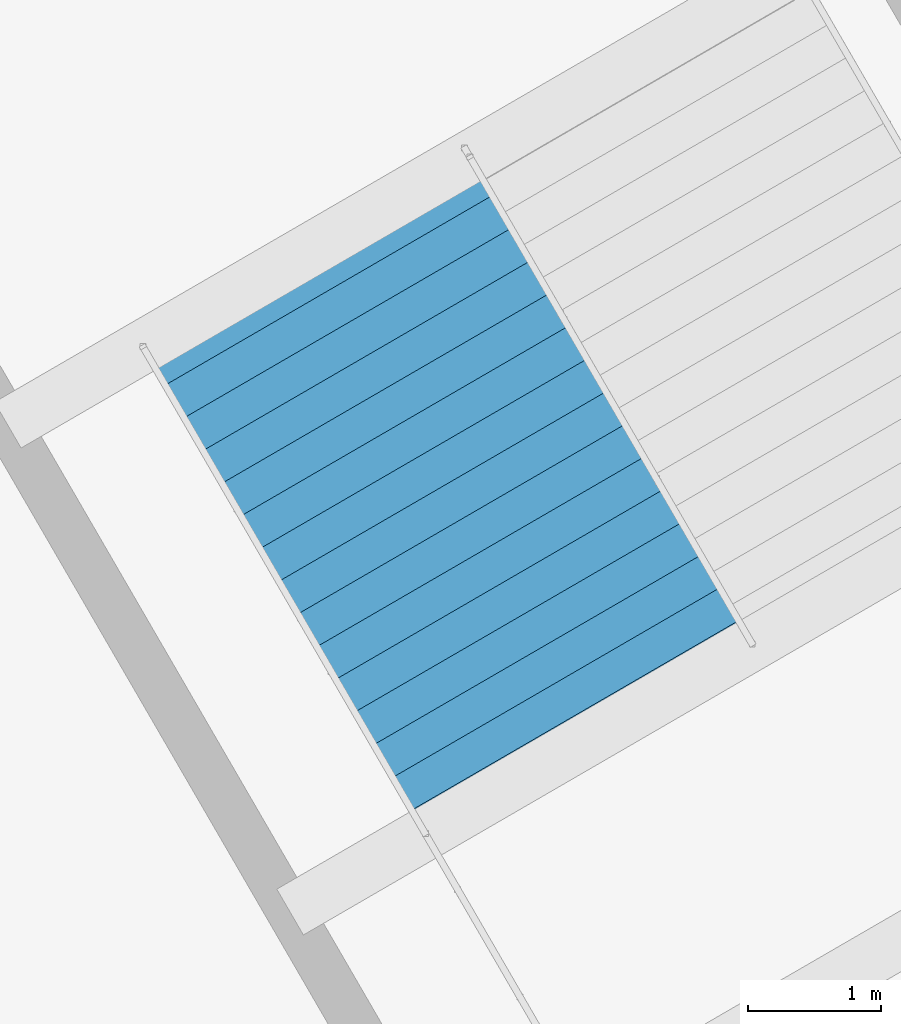
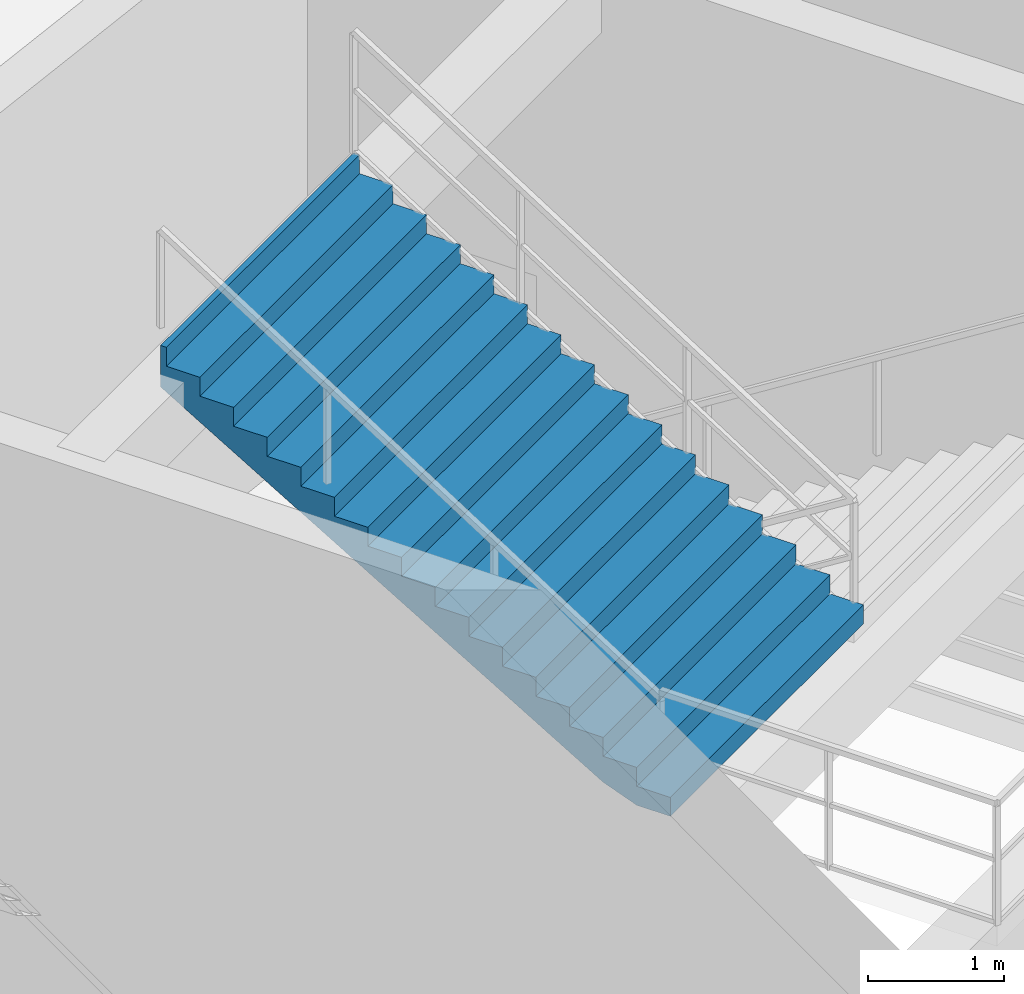
# One storey, part 81 of 103: 1 stair flight, 1 element without a shape of its own.
"""IFC4 building model written with IfcOpenShell, lengths in metres."""

from ifc_helpers import new_model, si_unit, direction, frame, origin, place, context, subcontext, project, spatial, polygons, material, type_object, element, aggregate, save


model = new_model("IFC4")

# Units and contexts
model_context = context("Model", 3, precision=1e-05, world=origin(), true_north=direction((0.0, 1.0)))
body_context = subcontext(model_context, "Body", "Model", "MODEL_VIEW")
ifc_project = project(units=[si_unit("LENGTHUNIT", "METRE"), si_unit("AREAUNIT", "SQUARE_METRE"), si_unit("VOLUMEUNIT", "CUBIC_METRE"), si_unit("PLANEANGLEUNIT", "RADIAN"), si_unit("MASSUNIT", "GRAM", prefix="KILO")], contexts=[model_context])

# Site, building, storey
site_placement = place(None, origin())
site = spatial("IfcSite", under=ifc_project, at=site_placement, CompositionType="ELEMENT")
building_placement = place(site_placement, origin())
building = spatial("IfcBuilding", under=site, at=building_placement, Name="Kazemori Nagisa Stadium", CompositionType="ELEMENT")
storey_placement = place(building_placement, frame((0.0, 0.0, 25.840087890625)))
storey = spatial("IfcBuildingStorey", under=building, at=storey_placement, Name="L05", CompositionType="ELEMENT", Elevation=25.840087890625)

# Stair, stair flight
ifc_material = material(Name="Concrete C36/45 (Fc36)", Category="concrete")
stair_type = type_object("IfcStairType", Name="Stair_CORE_32", PredefinedType="TWO_STRAIGHT_RUN_STAIR", material=ifc_material)
stair_placement = place(storey_placement, origin())
stair = element("IfcStair", 1, at=stair_placement, inside=storey, type_object=stair_type, Name="Exit stair ST09 L05", PredefinedType="TWO_STRAIGHT_RUN_STAIR")
stair_flight_type = type_object("IfcStairFlightType", Name="Flight_CORE_16", PredefinedType="STRAIGHT", material=ifc_material)
stair_flight_placement = place(storey_placement, frame((43.329833984375, 58.31005859375, 2.719970703125), z_axis=(0.0, 0.0, 1.0), x_axis=(-0.501639459067, 0.865076790295, 0.0)))
stair_flight = element("IfcStairFlight", 2, at=stair_flight_placement, type_object=stair_flight_type, Name="Exit stair ST09 L05 flight 2", NumberOfRisers=16, NumberOfTreads=15, PredefinedType="STRAIGHT", RiserHeight=0.17, TreadLength=0.285, context=body_context, shape_type="Tessellation", body=[
    polygons([(0.0, -1.425048828125, 0.0), (0.0, -1.425048828125, 0.169921875), (0.284912109375, -1.425048828125, 0.169921875), (0.284912109375, -1.425048828125, 0.340087890625), (0.570068359375, -1.425048828125, 0.340087890625), (0.570068359375, -1.425048828125, 0.510009765625), (0.85498046875, -1.425048828125, 0.510009765625), (0.85498046875, -1.425048828125, 0.679931640625), (1.139892578125, -1.425048828125, 0.679931640625), (1.139892578125, -1.425048828125, 0.85009765625), (1.425048828125, -1.425048828125, 0.85009765625), (1.425048828125, -1.425048828125, 1.02001953125), (1.7099609375, -1.425048828125, 1.02001953125), (1.7099609375, -1.425048828125, 1.18994140625), (1.9951171875, -1.425048828125, 1.18994140625), (1.9951171875, -1.425048828125, 1.360107421875), (2.280029296875, -1.425048828125, 1.360107421875), (2.280029296875, -1.425048828125, 1.530029296875), (2.56494140625, -1.425048828125, 1.530029296875), (2.56494140625, -1.425048828125, 1.699951171875), (2.85009765625, -1.425048828125, 1.699951171875), (2.85009765625, -1.425048828125, 1.8701171875), (3.135009765625, -1.425048828125, 1.8701171875), (3.135009765625, -1.425048828125, 2.0400390625), (3.419921875, -1.425048828125, 2.0400390625), (3.419921875, -1.425048828125, 2.2099609375), (3.705078125, -1.425048828125, 2.2099609375), (3.705078125, -1.425048828125, 2.3798828125), (3.989990234375, -1.425048828125, 2.3798828125), (3.989990234375, -1.425048828125, 2.550048828125), (4.27490234375, -1.425048828125, 2.550048828125), (4.27490234375, -1.425048828125, 2.719970703125), (4.324951171875, -1.425048828125, 2.719970703125), (4.324951171875, -1.425048828125, 2.346923828125), (4.27490234375, -1.425048828125, 2.317138671875), (3.989990234375, -1.425048828125, 2.147216796875), (3.705078125, -1.425048828125, 1.977294921875), (3.419921875, -1.425048828125, 1.80712890625), (3.135009765625, -1.425048828125, 1.63720703125), (2.85009765625, -1.425048828125, 1.46728515625), (2.56494140625, -1.425048828125, 1.297119140625), (2.280029296875, -1.425048828125, 1.127197265625), (1.9951171875, -1.425048828125, 0.957275390625), (1.7099609375, -1.425048828125, 0.787109375), (1.425048828125, -1.425048828125, 0.6171875), (1.139892578125, -1.425048828125, 0.447265625), (0.85498046875, -1.425048828125, 0.277099609375), (0.570068359375, -1.425048828125, 0.107177734375), (0.284912109375, -1.425048828125, 0.0), (0.0, -0.08544921875, 0.0), (0.0, -0.08544921875, 0.169921875), (0.284912109375, -0.08544921875, 0.169921875), (0.284912109375, -0.08544921875, 0.340087890625), (0.570068359375, -0.08544921875, 0.340087890625), (0.570068359375, -0.08544921875, 0.510009765625), (0.85498046875, -0.08544921875, 0.510009765625), (0.85498046875, -0.08544921875, 0.679931640625), (1.139892578125, -0.08544921875, 0.679931640625), (1.139892578125, -0.08544921875, 0.85009765625), (1.425048828125, -0.08544921875, 0.85009765625), (1.425048828125, -0.08544921875, 1.02001953125), (1.7099609375, -0.08544921875, 1.02001953125), (1.7099609375, -0.08544921875, 1.18994140625), (1.9951171875, -0.08544921875, 1.18994140625), (1.9951171875, -0.08544921875, 1.360107421875), (2.280029296875, -0.08544921875, 1.360107421875), (2.280029296875, -0.08544921875, 1.530029296875), (2.56494140625, -0.08544921875, 1.530029296875), (2.56494140625, -0.08544921875, 1.699951171875), (2.85009765625, -0.08544921875, 1.699951171875), (2.85009765625, -0.08544921875, 1.8701171875), (3.135009765625, -0.08544921875, 1.8701171875), (3.135009765625, -0.08544921875, 2.0400390625), (3.419921875, -0.08544921875, 2.0400390625), (3.419921875, -0.08544921875, 2.2099609375), (3.705078125, -0.08544921875, 2.2099609375), (3.705078125, -0.08544921875, 2.3798828125), (3.989990234375, -0.08544921875, 2.3798828125), (3.989990234375, -0.08544921875, 2.550048828125), (4.27490234375, -0.08544921875, 2.550048828125), (4.27490234375, -0.08544921875, 2.719970703125), (4.324951171875, -0.08544921875, 2.719970703125), (4.324951171875, -0.08544921875, 2.346923828125), (4.27490234375, -0.08544921875, 2.317138671875), (3.989990234375, -0.08544921875, 2.147216796875), (3.705078125, -0.08544921875, 1.977294921875), (3.419921875, -0.08544921875, 1.80712890625), (3.135009765625, -0.08544921875, 1.63720703125), (2.85009765625, -0.08544921875, 1.46728515625), (2.56494140625, -0.08544921875, 1.297119140625), (2.280029296875, -0.08544921875, 1.127197265625), (1.9951171875, -0.08544921875, 0.957275390625), (1.7099609375, -0.08544921875, 0.787109375), (1.425048828125, -0.08544921875, 0.6171875), (1.139892578125, -0.08544921875, 0.447265625), (0.85498046875, -0.08544921875, 0.277099609375), (0.570068359375, -0.08544921875, 0.107177734375), (0.284912109375, -0.08544921875, 0.0), (0.0, 0.0, 0.0), (0.0, 0.0, 0.169921875), (0.284912109375, 0.0, 0.169921875), (0.284912109375, 0.0, 0.340087890625), (0.570068359375, 0.0, 0.340087890625), (0.570068359375, 0.0, 0.510009765625), (0.85498046875, 0.0, 0.510009765625), (0.85498046875, 0.0, 0.679931640625), (1.139892578125, 0.0, 0.679931640625), (1.139892578125, 0.0, 0.85009765625), (1.425048828125, 0.0, 0.85009765625), (1.425048828125, 0.0, 1.02001953125), (1.7099609375, 0.0, 1.02001953125), (1.7099609375, 0.0, 1.18994140625), (1.9951171875, 0.0, 1.18994140625), (1.9951171875, 0.0, 1.360107421875), (2.280029296875, 0.0, 1.360107421875), (2.280029296875, 0.0, 1.530029296875), (2.56494140625, 0.0, 1.530029296875), (2.56494140625, 0.0, 1.699951171875), (2.85009765625, 0.0, 1.699951171875), (2.85009765625, 0.0, 1.8701171875), (3.135009765625, 0.0, 1.8701171875), (3.135009765625, 0.0, 2.0400390625), (3.419921875, 0.0, 2.0400390625), (3.419921875, 0.0, 2.2099609375), (3.705078125, 0.0, 2.2099609375), (3.705078125, 0.0, 2.3798828125), (3.989990234375, 0.0, 2.3798828125), (3.989990234375, 0.0, 2.550048828125), (4.27490234375, 0.0, 2.550048828125), (4.27490234375, 0.0, 2.719970703125), (4.324951171875, 0.0, 2.719970703125), (4.324951171875, 0.0, 2.346923828125), (4.27490234375, 0.0, 2.317138671875), (3.989990234375, 0.0, 2.147216796875), (3.705078125, 0.0, 1.977294921875), (3.419921875, 0.0, 1.80712890625), (3.135009765625, 0.0, 1.63720703125), (2.85009765625, 0.0, 1.46728515625), (2.56494140625, 0.0, 1.297119140625), (2.280029296875, 0.0, 1.127197265625), (1.9951171875, 0.0, 0.957275390625), (1.7099609375, 0.0, 0.787109375), (1.425048828125, 0.0, 0.6171875), (1.139892578125, 0.0, 0.447265625), (0.85498046875, 0.0, 0.277099609375), (0.570068359375, 0.0, 0.107177734375), (0.284912109375, 0.0, 0.0), (0.0, 0.08544921875, 0.0), (0.0, 0.08544921875, 0.169921875), (0.284912109375, 0.08544921875, 0.169921875), (0.284912109375, 0.08544921875, 0.340087890625), (0.570068359375, 0.08544921875, 0.340087890625), (0.570068359375, 0.08544921875, 0.510009765625), (0.85498046875, 0.08544921875, 0.510009765625), (0.85498046875, 0.08544921875, 0.679931640625), (1.139892578125, 0.08544921875, 0.679931640625), (1.139892578125, 0.08544921875, 0.85009765625), (1.425048828125, 0.08544921875, 0.85009765625), (1.425048828125, 0.08544921875, 1.02001953125), (1.7099609375, 0.08544921875, 1.02001953125), (1.7099609375, 0.08544921875, 1.18994140625), (1.9951171875, 0.08544921875, 1.18994140625), (1.9951171875, 0.08544921875, 1.360107421875), (2.280029296875, 0.08544921875, 1.360107421875), (2.280029296875, 0.08544921875, 1.530029296875), (2.56494140625, 0.08544921875, 1.530029296875), (2.56494140625, 0.08544921875, 1.699951171875), (2.85009765625, 0.08544921875, 1.699951171875), (2.85009765625, 0.08544921875, 1.8701171875), (3.135009765625, 0.08544921875, 1.8701171875), (3.135009765625, 0.08544921875, 2.0400390625), (3.419921875, 0.08544921875, 2.0400390625), (3.419921875, 0.08544921875, 2.2099609375), (3.705078125, 0.08544921875, 2.2099609375), (3.705078125, 0.08544921875, 2.3798828125), (3.989990234375, 0.08544921875, 2.3798828125), (3.989990234375, 0.08544921875, 2.550048828125), (4.27490234375, 0.08544921875, 2.550048828125), (4.27490234375, 0.08544921875, 2.719970703125), (4.324951171875, 0.08544921875, 2.719970703125), (4.324951171875, 0.08544921875, 2.346923828125), (4.27490234375, 0.08544921875, 2.317138671875), (3.989990234375, 0.08544921875, 2.147216796875), (3.705078125, 0.08544921875, 1.977294921875), (3.419921875, 0.08544921875, 1.80712890625), (3.135009765625, 0.08544921875, 1.63720703125), (2.85009765625, 0.08544921875, 1.46728515625), (2.56494140625, 0.08544921875, 1.297119140625), (2.280029296875, 0.08544921875, 1.127197265625), (1.9951171875, 0.08544921875, 0.957275390625), (1.7099609375, 0.08544921875, 0.787109375), (1.425048828125, 0.08544921875, 0.6171875), (1.139892578125, 0.08544921875, 0.447265625), (0.85498046875, 0.08544921875, 0.277099609375), (0.570068359375, 0.08544921875, 0.107177734375), (0.284912109375, 0.08544921875, 0.0), (0.0, 1.425048828125, 0.0), (0.0, 1.425048828125, 0.169921875), (0.284912109375, 1.425048828125, 0.169921875), (0.284912109375, 1.425048828125, 0.340087890625), (0.570068359375, 1.425048828125, 0.340087890625), (0.570068359375, 1.425048828125, 0.510009765625), (0.85498046875, 1.425048828125, 0.510009765625), (0.85498046875, 1.425048828125, 0.679931640625), (1.139892578125, 1.425048828125, 0.679931640625), (1.139892578125, 1.425048828125, 0.85009765625), (1.425048828125, 1.425048828125, 0.85009765625), (1.425048828125, 1.425048828125, 1.02001953125), (1.7099609375, 1.425048828125, 1.02001953125), (1.7099609375, 1.425048828125, 1.18994140625), (1.9951171875, 1.425048828125, 1.18994140625), (1.9951171875, 1.425048828125, 1.360107421875), (2.280029296875, 1.425048828125, 1.360107421875), (2.280029296875, 1.425048828125, 1.530029296875), (2.56494140625, 1.425048828125, 1.530029296875), (2.56494140625, 1.425048828125, 1.699951171875), (2.85009765625, 1.425048828125, 1.699951171875), (2.85009765625, 1.425048828125, 1.8701171875), (3.135009765625, 1.425048828125, 1.8701171875), (3.135009765625, 1.425048828125, 2.0400390625), (3.419921875, 1.425048828125, 2.0400390625), (3.419921875, 1.425048828125, 2.2099609375), (3.705078125, 1.425048828125, 2.2099609375), (3.705078125, 1.425048828125, 2.3798828125), (3.989990234375, 1.425048828125, 2.3798828125), (3.989990234375, 1.425048828125, 2.550048828125), (4.27490234375, 1.425048828125, 2.550048828125), (4.27490234375, 1.425048828125, 2.719970703125), (4.324951171875, 1.425048828125, 2.719970703125), (4.324951171875, 1.425048828125, 2.346923828125), (4.27490234375, 1.425048828125, 2.317138671875), (3.989990234375, 1.425048828125, 2.147216796875), (3.705078125, 1.425048828125, 1.977294921875), (3.419921875, 1.425048828125, 1.80712890625), (3.135009765625, 1.425048828125, 1.63720703125), (2.85009765625, 1.425048828125, 1.46728515625), (2.56494140625, 1.425048828125, 1.297119140625), (2.280029296875, 1.425048828125, 1.127197265625), (1.9951171875, 1.425048828125, 0.957275390625), (1.7099609375, 1.425048828125, 0.787109375), (1.425048828125, 1.425048828125, 0.6171875), (1.139892578125, 1.425048828125, 0.447265625), (0.85498046875, 1.425048828125, 0.277099609375), (0.570068359375, 1.425048828125, 0.107177734375), (0.284912109375, 1.425048828125, 0.0)], [[[1, 2, 51]], [[1, 51, 50]], [[2, 3, 52]], [[2, 52, 51]], [[3, 4, 53]], [[3, 53, 52]], [[4, 5, 54]], [[4, 54, 53]], [[5, 6, 55]], [[5, 55, 54]], [[6, 7, 56]], [[6, 56, 55]], [[7, 8, 57]], [[7, 57, 56]], [[8, 9, 58]], [[8, 58, 57]], [[9, 10, 59]], [[9, 59, 58]], [[10, 11, 60]], [[10, 60, 59]], [[11, 12, 61]], [[11, 61, 60]], [[12, 13, 62]], [[12, 62, 61]], [[13, 14, 63]], [[13, 63, 62]], [[14, 15, 64]], [[14, 64, 63]], [[15, 16, 65]], [[15, 65, 64]], [[16, 17, 66]], [[16, 66, 65]], [[17, 18, 67]], [[17, 67, 66]], [[18, 19, 68]], [[18, 68, 67]], [[19, 20, 69]], [[19, 69, 68]], [[20, 21, 70]], [[20, 70, 69]], [[21, 22, 71]], [[21, 71, 70]], [[22, 23, 72]], [[22, 72, 71]], [[23, 24, 73]], [[23, 73, 72]], [[24, 25, 74]], [[24, 74, 73]], [[25, 26, 75]], [[25, 75, 74]], [[26, 27, 76]], [[26, 76, 75]], [[27, 28, 77]], [[27, 77, 76]], [[28, 29, 78]], [[28, 78, 77]], [[29, 30, 79]], [[29, 79, 78]], [[30, 31, 80]], [[30, 80, 79]], [[31, 32, 81]], [[31, 81, 80]], [[32, 33, 82]], [[32, 82, 81]], [[33, 34, 83]], [[33, 83, 82]], [[34, 35, 84]], [[34, 84, 83]], [[35, 36, 85]], [[35, 85, 84]], [[36, 37, 86]], [[36, 86, 85]], [[37, 38, 87]], [[37, 87, 86]], [[38, 39, 88]], [[38, 88, 87]], [[39, 40, 89]], [[39, 89, 88]], [[40, 41, 90]], [[40, 90, 89]], [[41, 42, 91]], [[41, 91, 90]], [[42, 43, 92]], [[42, 92, 91]], [[43, 44, 93]], [[43, 93, 92]], [[44, 45, 94]], [[44, 94, 93]], [[45, 46, 95]], [[45, 95, 94]], [[46, 47, 96]], [[46, 96, 95]], [[47, 48, 97]], [[47, 97, 96]], [[48, 49, 98]], [[48, 98, 97]], [[49, 1, 50]], [[49, 50, 98]], [[50, 51, 100]], [[50, 100, 99]], [[51, 52, 101]], [[51, 101, 100]], [[52, 53, 102]], [[52, 102, 101]], [[53, 54, 103]], [[53, 103, 102]], [[54, 55, 104]], [[54, 104, 103]], [[55, 56, 105]], [[55, 105, 104]], [[56, 57, 106]], [[56, 106, 105]], [[57, 58, 107]], [[57, 107, 106]], [[58, 59, 108]], [[58, 108, 107]], [[59, 60, 109]], [[59, 109, 108]], [[60, 61, 110]], [[60, 110, 109]], [[61, 62, 111]], [[61, 111, 110]], [[62, 63, 112]], [[62, 112, 111]], [[63, 64, 113]], [[63, 113, 112]], [[64, 65, 114]], [[64, 114, 113]], [[65, 66, 115]], [[65, 115, 114]], [[66, 67, 116]], [[66, 116, 115]], [[67, 68, 117]], [[67, 117, 116]], [[68, 69, 118]], [[68, 118, 117]], [[69, 70, 119]], [[69, 119, 118]], [[70, 71, 120]], [[70, 120, 119]], [[71, 72, 121]], [[71, 121, 120]], [[72, 73, 122]], [[72, 122, 121]], [[73, 74, 123]], [[73, 123, 122]], [[74, 75, 124]], [[74, 124, 123]], [[75, 76, 125]], [[75, 125, 124]], [[76, 77, 126]], [[76, 126, 125]], [[77, 78, 127]], [[77, 127, 126]], [[78, 79, 128]], [[78, 128, 127]], [[79, 80, 129]], [[79, 129, 128]], [[80, 81, 130]], [[80, 130, 129]], [[81, 82, 131]], [[81, 131, 130]], [[82, 83, 132]], [[82, 132, 131]], [[83, 84, 133]], [[83, 133, 132]], [[84, 85, 134]], [[84, 134, 133]], [[85, 86, 135]], [[85, 135, 134]], [[86, 87, 136]], [[86, 136, 135]], [[87, 88, 137]], [[87, 137, 136]], [[88, 89, 138]], [[88, 138, 137]], [[89, 90, 139]], [[89, 139, 138]], [[90, 91, 140]], [[90, 140, 139]], [[91, 92, 141]], [[91, 141, 140]], [[92, 93, 142]], [[92, 142, 141]], [[93, 94, 143]], [[93, 143, 142]], [[94, 95, 144]], [[94, 144, 143]], [[95, 96, 145]], [[95, 145, 144]], [[96, 97, 146]], [[96, 146, 145]], [[97, 98, 147]], [[97, 147, 146]], [[98, 50, 99]], [[98, 99, 147]], [[99, 100, 149]], [[99, 149, 148]], [[100, 101, 150]], [[100, 150, 149]], [[101, 102, 151]], [[101, 151, 150]], [[102, 103, 152]], [[102, 152, 151]], [[103, 104, 153]], [[103, 153, 152]], [[104, 105, 154]], [[104, 154, 153]], [[105, 106, 155]], [[105, 155, 154]], [[106, 107, 156]], [[106, 156, 155]], [[107, 108, 157]], [[107, 157, 156]], [[108, 109, 158]], [[108, 158, 157]], [[109, 110, 159]], [[109, 159, 158]], [[110, 111, 160]], [[110, 160, 159]], [[111, 112, 161]], [[111, 161, 160]], [[112, 113, 162]], [[112, 162, 161]], [[113, 114, 163]], [[113, 163, 162]], [[114, 115, 164]], [[114, 164, 163]], [[115, 116, 165]], [[115, 165, 164]], [[116, 117, 166]], [[116, 166, 165]], [[117, 118, 167]], [[117, 167, 166]], [[118, 119, 168]], [[118, 168, 167]], [[119, 120, 169]], [[119, 169, 168]], [[120, 121, 170]], [[120, 170, 169]], [[121, 122, 171]], [[121, 171, 170]], [[122, 123, 172]], [[122, 172, 171]], [[123, 124, 173]], [[123, 173, 172]], [[124, 125, 174]], [[124, 174, 173]], [[125, 126, 175]], [[125, 175, 174]], [[126, 127, 176]], [[126, 176, 175]], [[127, 128, 177]], [[127, 177, 176]], [[128, 129, 178]], [[128, 178, 177]], [[129, 130, 179]], [[129, 179, 178]], [[130, 131, 180]], [[130, 180, 179]], [[131, 132, 181]], [[131, 181, 180]], [[132, 133, 182]], [[132, 182, 181]], [[133, 134, 183]], [[133, 183, 182]], [[134, 135, 184]], [[134, 184, 183]], [[135, 136, 185]], [[135, 185, 184]], [[136, 137, 186]], [[136, 186, 185]], [[137, 138, 187]], [[137, 187, 186]], [[138, 139, 188]], [[138, 188, 187]], [[139, 140, 189]], [[139, 189, 188]], [[140, 141, 190]], [[140, 190, 189]], [[141, 142, 191]], [[141, 191, 190]], [[142, 143, 192]], [[142, 192, 191]], [[143, 144, 193]], [[143, 193, 192]], [[144, 145, 194]], [[144, 194, 193]], [[145, 146, 195]], [[145, 195, 194]], [[146, 147, 196]], [[146, 196, 195]], [[147, 99, 148]], [[147, 148, 196]], [[148, 149, 198]], [[148, 198, 197]], [[149, 150, 199]], [[149, 199, 198]], [[150, 151, 200]], [[150, 200, 199]], [[151, 152, 201]], [[151, 201, 200]], [[152, 153, 202]], [[152, 202, 201]], [[153, 154, 203]], [[153, 203, 202]], [[154, 155, 204]], [[154, 204, 203]], [[155, 156, 205]], [[155, 205, 204]], [[156, 157, 206]], [[156, 206, 205]], [[157, 158, 207]], [[157, 207, 206]], [[158, 159, 208]], [[158, 208, 207]], [[159, 160, 209]], [[159, 209, 208]], [[160, 161, 210]], [[160, 210, 209]], [[161, 162, 211]], [[161, 211, 210]], [[162, 163, 212]], [[162, 212, 211]], [[163, 164, 213]], [[163, 213, 212]], [[164, 165, 214]], [[164, 214, 213]], [[165, 166, 215]], [[165, 215, 214]], [[166, 167, 216]], [[166, 216, 215]], [[167, 168, 217]], [[167, 217, 216]], [[168, 169, 218]], [[168, 218, 217]], [[169, 170, 219]], [[169, 219, 218]], [[170, 171, 220]], [[170, 220, 219]], [[171, 172, 221]], [[171, 221, 220]], [[172, 173, 222]], [[172, 222, 221]], [[173, 174, 223]], [[173, 223, 222]], [[174, 175, 224]], [[174, 224, 223]], [[175, 176, 225]], [[175, 225, 224]], [[176, 177, 226]], [[176, 226, 225]], [[177, 178, 227]], [[177, 227, 226]], [[178, 179, 228]], [[178, 228, 227]], [[179, 180, 229]], [[179, 229, 228]], [[180, 181, 230]], [[180, 230, 229]], [[181, 182, 231]], [[181, 231, 230]], [[182, 183, 232]], [[182, 232, 231]], [[183, 184, 233]], [[183, 233, 232]], [[184, 185, 234]], [[184, 234, 233]], [[185, 186, 235]], [[185, 235, 234]], [[186, 187, 236]], [[186, 236, 235]], [[187, 188, 237]], [[187, 237, 236]], [[188, 189, 238]], [[188, 238, 237]], [[189, 190, 239]], [[189, 239, 238]], [[190, 191, 240]], [[190, 240, 239]], [[191, 192, 241]], [[191, 241, 240]], [[192, 193, 242]], [[192, 242, 241]], [[193, 194, 243]], [[193, 243, 242]], [[194, 195, 244]], [[194, 244, 243]], [[195, 196, 245]], [[195, 245, 244]], [[196, 148, 197]], [[196, 197, 245]], [[3, 2, 1]], [[197, 198, 199]], [[49, 3, 1]], [[197, 199, 245]], [[48, 3, 49]], [[245, 199, 244]], [[5, 3, 48]], [[244, 199, 201]], [[5, 4, 3]], [[199, 200, 201]], [[47, 5, 48]], [[244, 201, 243]], [[7, 5, 47]], [[243, 201, 203]], [[7, 6, 5]], [[201, 202, 203]], [[46, 7, 47]], [[243, 203, 242]], [[9, 7, 46]], [[242, 203, 205]], [[9, 8, 7]], [[203, 204, 205]], [[45, 9, 46]], [[242, 205, 241]], [[11, 9, 45]], [[241, 205, 207]], [[11, 10, 9]], [[205, 206, 207]], [[44, 11, 45]], [[241, 207, 240]], [[13, 11, 44]], [[240, 207, 209]], [[13, 12, 11]], [[207, 208, 209]], [[43, 13, 44]], [[240, 209, 239]], [[15, 13, 43]], [[239, 209, 211]], [[15, 14, 13]], [[209, 210, 211]], [[42, 15, 43]], [[239, 211, 238]], [[17, 15, 42]], [[238, 211, 213]], [[17, 16, 15]], [[211, 212, 213]], [[41, 17, 42]], [[238, 213, 237]], [[19, 17, 41]], [[237, 213, 215]], [[19, 18, 17]], [[213, 214, 215]], [[40, 19, 41]], [[237, 215, 236]], [[21, 19, 40]], [[236, 215, 217]], [[21, 20, 19]], [[215, 216, 217]], [[39, 21, 40]], [[236, 217, 235]], [[23, 21, 39]], [[235, 217, 219]], [[23, 22, 21]], [[217, 218, 219]], [[38, 23, 39]], [[235, 219, 234]], [[25, 23, 38]], [[234, 219, 221]], [[25, 24, 23]], [[219, 220, 221]], [[37, 25, 38]], [[234, 221, 233]], [[27, 25, 37]], [[233, 221, 223]], [[27, 26, 25]], [[221, 222, 223]], [[36, 27, 37]], [[233, 223, 232]], [[29, 27, 36]], [[232, 223, 225]], [[29, 28, 27]], [[223, 224, 225]], [[35, 29, 36]], [[232, 225, 231]], [[31, 29, 35]], [[231, 225, 227]], [[31, 30, 29]], [[225, 226, 227]], [[34, 31, 35]], [[231, 227, 230]], [[33, 31, 34]], [[230, 227, 229]], [[33, 32, 31]], [[227, 228, 229]]], closed=True),
])
aggregate(stair, [stair_flight])

save(model, "model.ifc")
